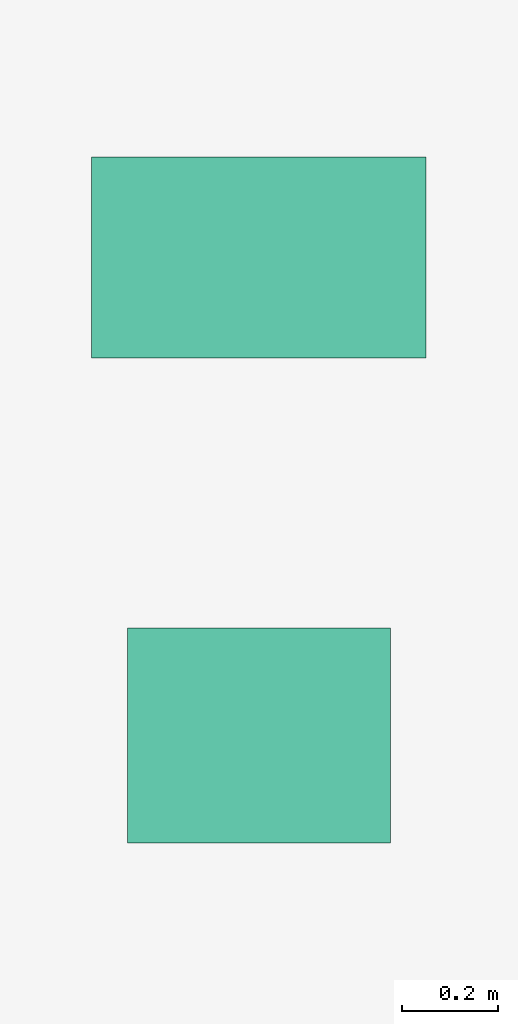
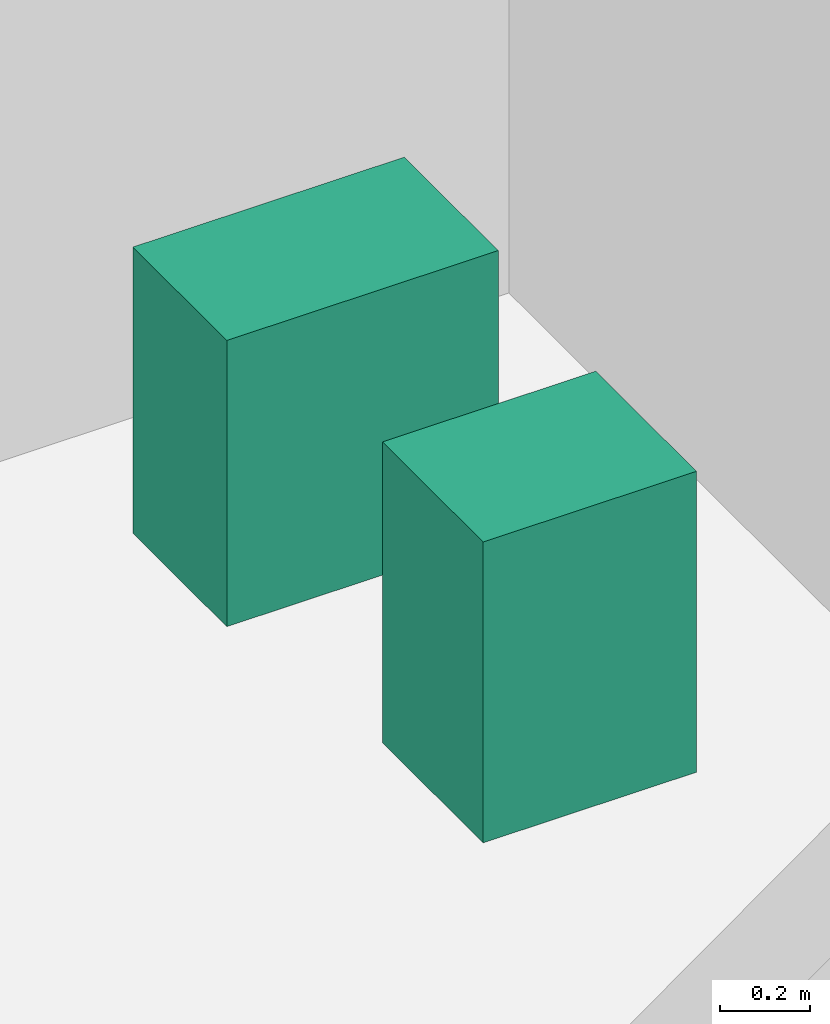
# One storey, part 27 of 27: 2 sanitary terminals.
"""IFC4 building model written with IfcOpenShell, lengths in metres."""

from ifc_helpers import new_model, si_unit, direction, frame, origin, origin_2d, place, context, subcontext, project, spatial, rectangle, extrude, source, transform, mapped, material, type_object, element, save


model = new_model("IFC4")

# Units and contexts
model_context = context("Model", 3, precision=1e-05, world=origin(), true_north=direction((0.0, 1.0)))
body_context = subcontext(model_context, "Body", "Model", "MODEL_VIEW")
ifc_project = project(units=[si_unit("LENGTHUNIT", "METRE"), si_unit("AREAUNIT", "SQUARE_METRE"), si_unit("VOLUMEUNIT", "CUBIC_METRE"), si_unit("PLANEANGLEUNIT", "RADIAN"), si_unit("MASSUNIT", "GRAM", prefix="KILO")], contexts=[model_context])

# Site, building, storey
site_placement = place(None, origin())
site = spatial("IfcSite", under=ifc_project, at=site_placement, CompositionType="ELEMENT")
building_placement = place(site_placement, origin())
building = spatial("IfcBuilding", under=site, at=building_placement, Name="Sumidabori Civic Tower", CompositionType="ELEMENT")
storey_placement = place(building_placement, frame((0.0, 0.0, 228.800048828125)))
storey = spatial("IfcBuildingStorey", under=building, at=storey_placement, Name="L59", CompositionType="ELEMENT", Elevation=228.800048828125)

# Sanitary terminals
ifc_material = material(Name="Vitreous Sanitary Porcelain")
sanitary_terminal_type_1 = type_object("IfcSanitaryTerminalType", Name="SN-WC-1", PredefinedType="TOILETPAN", material=ifc_material)
shared_shape_1 = source(origin(), body_context, "Body", "SweptSolid", [
    extrude(rectangle(XDim=0.699951171875, YDim=0.419921875, at=origin_2d()), origin(), (0.0, 0.0, 1.0), 0.780029296875),
])
sanitary_terminal_1_placement = place(storey_placement, frame((10.800048828125, 21.85009765625, 0.0), z_axis=(0.0, 0.0, 1.0), x_axis=(1.0, 0.0, 0.0)))
element("IfcSanitaryTerminal", 1, at=sanitary_terminal_1_placement, inside=storey, type_object=sanitary_terminal_type_1, Name="Accessible WC Pan L59", PredefinedType="TOILETPAN", context=body_context, shape_type="MappedRepresentation", body=[
    mapped(shared_shape_1, transform((0.0, 0.0, 0.0), x_axis=(1.0, 0.0, 0.0), y_axis=(0.0, 1.0, 0.0), z_axis=(0.0, 0.0, 1.0), scale=1.0)),
])
sanitary_terminal_type_2 = type_object("IfcSanitaryTerminalType", Name="SN-BAS-1", PredefinedType="WASHHANDBASIN", material=ifc_material)
shared_shape_2 = source(origin(), body_context, "Body", "SweptSolid", [
    extrude(rectangle(XDim=0.550048828125, YDim=0.449951171875, at=origin_2d()), origin(), (0.0, 0.0, 1.0), 0.820068359375),
])
sanitary_terminal_2_placement = place(storey_placement, frame((10.800048828125, 20.85009765625, 0.0), z_axis=(0.0, 0.0, 1.0), x_axis=(1.0, 0.0, 0.0)))
element("IfcSanitaryTerminal", 2, at=sanitary_terminal_2_placement, inside=storey, type_object=sanitary_terminal_type_2, Name="Accessible Basin L59", PredefinedType="WASHHANDBASIN", context=body_context, shape_type="MappedRepresentation", body=[
    mapped(shared_shape_2, transform((0.0, 0.0, 0.0), x_axis=(1.0, 0.0, 0.0), y_axis=(0.0, 1.0, 0.0), z_axis=(0.0, 0.0, 1.0), scale=1.0)),
])

save(model, "model.ifc")
